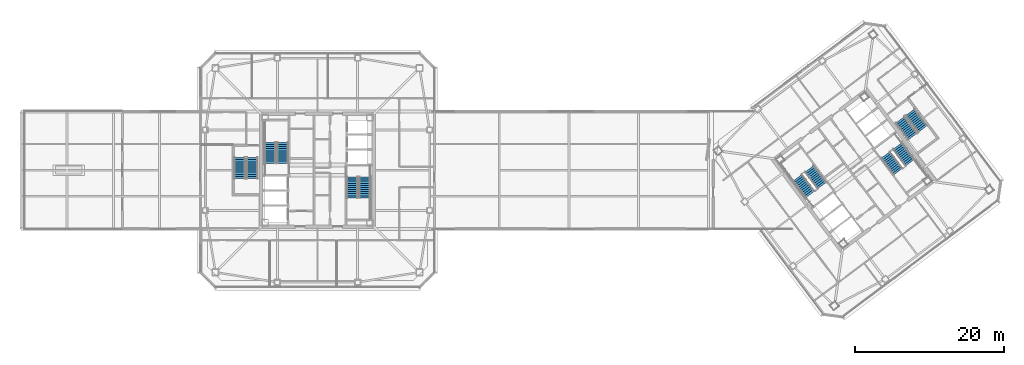
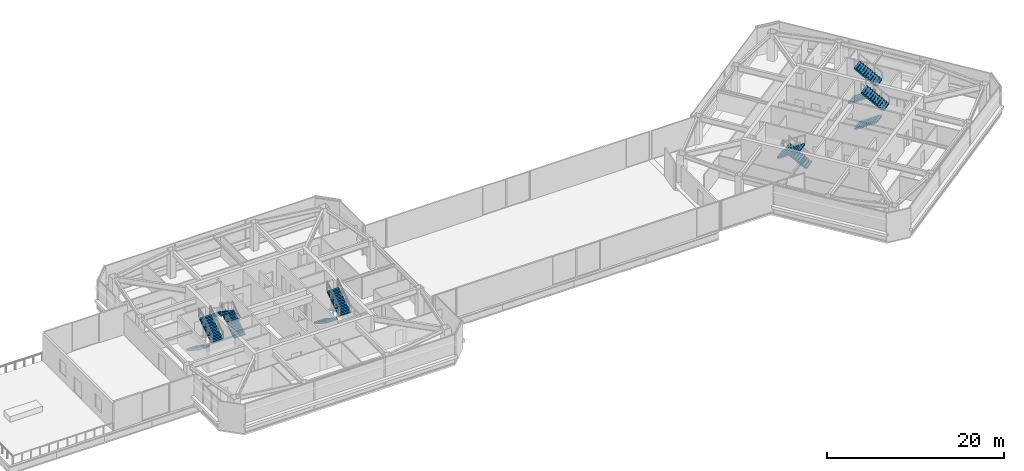
# One storey, part 43 of 51: 12 stair flights, 6 elements without a shape of their own.
"""IFC4 building model written with IfcOpenShell, lengths in metres."""

from ifc_helpers import new_model, si_unit, direction, frame, origin, place, context, subcontext, project, spatial, polyline, outline, extrude, material, type_object, element, aggregate, save


model = new_model("IFC4")

# Units and contexts
model_context = context("Model", 3, precision=1e-05, world=origin(), true_north=direction((0.0, 1.0)))
body_context = subcontext(model_context, "Body", "Model", "MODEL_VIEW")
ifc_project = project(units=[si_unit("LENGTHUNIT", "METRE"), si_unit("AREAUNIT", "SQUARE_METRE"), si_unit("VOLUMEUNIT", "CUBIC_METRE"), si_unit("PLANEANGLEUNIT", "RADIAN"), si_unit("MASSUNIT", "GRAM", prefix="KILO")], contexts=[model_context])

# Site, building, storey
site_placement = place(None, origin())
site = spatial("IfcSite", under=ifc_project, at=site_placement, CompositionType="ELEMENT")
building_placement = place(site_placement, origin())
building = spatial("IfcBuilding", under=site, at=building_placement, Name="Tashvorn Skyway Center", CompositionType="ELEMENT")
storey_placement = place(building_placement, frame((0.0, 0.0, 251.39990234375)))
storey = spatial("IfcBuildingStorey", under=building, at=storey_placement, Name="L68", CompositionType="ELEMENT", Elevation=251.39990234375)

# Stair, stair flights
ifc_material = material(Name="Concrete C40/50", Category="concrete")
stair_type = type_object("IfcStairType", Name="STAIR-CORE-1500", PredefinedType="HALF_TURN_STAIR", material=ifc_material)
stair_1_placement = place(storey_placement, origin())
stair_1 = element("IfcStair", 1, at=stair_1_placement, inside=storey, type_object=stair_type, Name="L68 Tower 1 Exit Stair 1", PredefinedType="HALF_TURN_STAIR")
stair_flight_type = type_object("IfcStairFlightType", Name="SFLIGHT-1500", PredefinedType="STRAIGHT", material=ifc_material)
stair_flight_1_placement = place(storey_placement, frame((37.35009765625, 32.919921875, 0.0), z_axis=(0.0, 0.0, 1.0), x_axis=(0.0, 1.0, 0.0)))
stair_flight_1 = element("IfcStairFlight", 2, at=stair_flight_1_placement, type_object=stair_flight_type, Name="ST-T1-1 flight 1", NumberOfRisers=11, NumberOfTreads=10, PredefinedType="STRAIGHT", RiserHeight=0.181818182, TreadLength=0.28, context=body_context, shape_type="SweptSolid", body=[
    extrude(outline(polyline([(0.0, 0.0), (0.0, 0.181884765625), (0.280029296875, 0.181884765625), (0.280029296875, 0.363525390625), (0.56005859375, 0.363525390625), (0.56005859375, 0.54541015625), (0.840087890625, 0.54541015625), (0.840087890625, 0.727294921875), (1.1201171875, 0.727294921875), (1.1201171875, 0.9091796875), (1.39990234375, 0.9091796875), (1.39990234375, 1.0908203125), (1.679931640625, 1.0908203125), (1.679931640625, 1.272705078125), (1.9599609375, 1.272705078125), (1.9599609375, 1.45458984375), (2.239990234375, 1.45458984375), (2.239990234375, 1.636474609375), (2.52001953125, 1.636474609375), (2.52001953125, 1.818115234375), (2.800048828125, 1.818115234375), (2.800048828125, 2.0), (2.800048828125, 1.639404296875), (0.275146484375, 0.0), (0.0, 0.0)])), frame((0.0, 0.75, 0.0), z_axis=(0.0, -1.0, 0.0), x_axis=(1.0, 0.0, 0.0)), (0.0, 0.0, 1.0), 1.5),
])
stair_flight_2_placement = place(storey_placement, frame((35.64990234375, 35.719970703125, 2.0), z_axis=(0.0, 0.0, 1.0), x_axis=(0.0, -1.0, 0.0)))
stair_flight_2 = element("IfcStairFlight", 3, at=stair_flight_2_placement, type_object=stair_flight_type, Name="ST-T1-1 flight 2", NumberOfRisers=11, NumberOfTreads=10, PredefinedType="STRAIGHT", RiserHeight=0.181818182, TreadLength=0.28, context=body_context, shape_type="SweptSolid", body=[
    extrude(outline(polyline([(0.0, 0.0), (0.0, 0.181884765625), (0.280029296875, 0.181884765625), (0.280029296875, 0.363525390625), (0.56005859375, 0.363525390625), (0.56005859375, 0.54541015625), (0.840087890625, 0.54541015625), (0.840087890625, 0.727294921875), (1.1201171875, 0.727294921875), (1.1201171875, 0.9091796875), (1.39990234375, 0.9091796875), (1.39990234375, 1.0908203125), (1.679931640625, 1.0908203125), (1.679931640625, 1.272705078125), (1.9599609375, 1.272705078125), (1.9599609375, 1.45458984375), (2.239990234375, 1.45458984375), (2.239990234375, 1.636474609375), (2.52001953125, 1.636474609375), (2.52001953125, 1.818115234375), (2.800048828125, 1.818115234375), (2.800048828125, 2.0), (2.800048828125, 1.639404296875), (0.275146484375, 0.0), (0.0, 0.0)])), frame((0.0, 0.75, 0.0), z_axis=(0.0, -1.0, 0.0), x_axis=(1.0, 0.0, 0.0)), (0.0, 0.0, 1.0), 1.5),
])
aggregate(stair_1, [stair_flight_1, stair_flight_2])

stair_2_placement = place(storey_placement, origin())
stair_2 = element("IfcStair", 4, at=stair_2_placement, inside=storey, type_object=stair_type, Name="L68 Tower 1 Exit Stair 2", PredefinedType="HALF_TURN_STAIR")
stair_flight_3_placement = place(storey_placement, frame((46.64990234375, 31.080078125, 0.0), z_axis=(0.0, 0.0, 1.0), x_axis=(0.0, -1.0, 0.0)))
stair_flight_3 = element("IfcStairFlight", 5, at=stair_flight_3_placement, type_object=stair_flight_type, Name="ST-T1-2 flight 1", NumberOfRisers=11, NumberOfTreads=10, PredefinedType="STRAIGHT", RiserHeight=0.181818182, TreadLength=0.28, context=body_context, shape_type="SweptSolid", body=[
    extrude(outline(polyline([(0.0, 0.0), (0.0, 0.181884765625), (0.280029296875, 0.181884765625), (0.280029296875, 0.363525390625), (0.56005859375, 0.363525390625), (0.56005859375, 0.54541015625), (0.840087890625, 0.54541015625), (0.840087890625, 0.727294921875), (1.1201171875, 0.727294921875), (1.1201171875, 0.9091796875), (1.39990234375, 0.9091796875), (1.39990234375, 1.0908203125), (1.679931640625, 1.0908203125), (1.679931640625, 1.272705078125), (1.9599609375, 1.272705078125), (1.9599609375, 1.45458984375), (2.239990234375, 1.45458984375), (2.239990234375, 1.636474609375), (2.52001953125, 1.636474609375), (2.52001953125, 1.818115234375), (2.800048828125, 1.818115234375), (2.800048828125, 2.0), (2.800048828125, 1.639404296875), (0.275146484375, 0.0), (0.0, 0.0)])), frame((0.0, 0.75, 0.0), z_axis=(0.0, -1.0, 0.0), x_axis=(1.0, 0.0, 0.0)), (0.0, 0.0, 1.0), 1.5),
])
stair_flight_4_placement = place(storey_placement, frame((48.35009765625, 28.280029296875, 2.0), z_axis=(0.0, 0.0, 1.0), x_axis=(0.0, 1.0, 0.0)))
stair_flight_4 = element("IfcStairFlight", 6, at=stair_flight_4_placement, type_object=stair_flight_type, Name="ST-T1-2 flight 2", NumberOfRisers=11, NumberOfTreads=10, PredefinedType="STRAIGHT", RiserHeight=0.181818182, TreadLength=0.28, context=body_context, shape_type="SweptSolid", body=[
    extrude(outline(polyline([(0.0, 0.0), (0.0, 0.181884765625), (0.280029296875, 0.181884765625), (0.280029296875, 0.363525390625), (0.56005859375, 0.363525390625), (0.56005859375, 0.54541015625), (0.840087890625, 0.54541015625), (0.840087890625, 0.727294921875), (1.1201171875, 0.727294921875), (1.1201171875, 0.9091796875), (1.39990234375, 0.9091796875), (1.39990234375, 1.0908203125), (1.679931640625, 1.0908203125), (1.679931640625, 1.272705078125), (1.9599609375, 1.272705078125), (1.9599609375, 1.45458984375), (2.239990234375, 1.45458984375), (2.239990234375, 1.636474609375), (2.52001953125, 1.636474609375), (2.52001953125, 1.818115234375), (2.800048828125, 1.818115234375), (2.800048828125, 2.0), (2.800048828125, 1.639404296875), (0.275146484375, 0.0), (0.0, 0.0)])), frame((0.0, 0.75, 0.0), z_axis=(0.0, -1.0, 0.0), x_axis=(1.0, 0.0, 0.0)), (0.0, 0.0, 1.0), 1.5),
])
aggregate(stair_2, [stair_flight_3, stair_flight_4])

stair_3_placement = place(storey_placement, origin())
stair_3 = element("IfcStair", 7, at=stair_3_placement, inside=storey, type_object=stair_type, Name="L68 Tower 2 Exit Stair 1", PredefinedType="HALF_TURN_STAIR")
stair_flight_5_placement = place(storey_placement, frame((109.72802734375, 29.946044921875, 0.0), z_axis=(0.0, 0.0, 1.0), x_axis=(-0.600000004945, 0.799999996291, 0.0)))
stair_flight_5 = element("IfcStairFlight", 8, at=stair_flight_5_placement, type_object=stair_flight_type, Name="ST-T2-1 flight 1", NumberOfRisers=11, NumberOfTreads=10, PredefinedType="STRAIGHT", RiserHeight=0.181818182, TreadLength=0.28, context=body_context, shape_type="SweptSolid", body=[
    extrude(outline(polyline([(0.0, 0.0), (0.0, 0.181884765625), (0.280029296875, 0.181884765625), (0.280029296875, 0.363525390625), (0.56005859375, 0.363525390625), (0.56005859375, 0.54541015625), (0.840087890625, 0.54541015625), (0.840087890625, 0.727294921875), (1.1201171875, 0.727294921875), (1.1201171875, 0.9091796875), (1.39990234375, 0.9091796875), (1.39990234375, 1.0908203125), (1.679931640625, 1.0908203125), (1.679931640625, 1.272705078125), (1.9599609375, 1.272705078125), (1.9599609375, 1.45458984375), (2.239990234375, 1.45458984375), (2.239990234375, 1.636474609375), (2.52001953125, 1.636474609375), (2.52001953125, 1.818115234375), (2.800048828125, 1.818115234375), (2.800048828125, 2.0), (2.800048828125, 1.639404296875), (0.275146484375, 0.0), (0.0, 0.0)])), frame((0.0, 0.75, 0.0), z_axis=(0.0, -1.0, 0.0), x_axis=(1.0, 0.0, 0.0)), (0.0, 0.0, 1.0), 1.5),
])
stair_flight_6_placement = place(storey_placement, frame((106.464111328125, 30.998046875, 2.0), z_axis=(0.0, 0.0, 1.0), x_axis=(0.600000004945, -0.799999996291, 0.0)))
stair_flight_6 = element("IfcStairFlight", 9, at=stair_flight_6_placement, type_object=stair_flight_type, Name="ST-T2-1 flight 2", NumberOfRisers=11, NumberOfTreads=10, PredefinedType="STRAIGHT", RiserHeight=0.181818182, TreadLength=0.28, context=body_context, shape_type="SweptSolid", body=[
    extrude(outline(polyline([(0.0, 0.0), (0.0, 0.181884765625), (0.280029296875, 0.181884765625), (0.280029296875, 0.363525390625), (0.56005859375, 0.363525390625), (0.56005859375, 0.54541015625), (0.840087890625, 0.54541015625), (0.840087890625, 0.727294921875), (1.1201171875, 0.727294921875), (1.1201171875, 0.9091796875), (1.39990234375, 0.9091796875), (1.39990234375, 1.0908203125), (1.679931640625, 1.0908203125), (1.679931640625, 1.272705078125), (1.9599609375, 1.272705078125), (1.9599609375, 1.45458984375), (2.239990234375, 1.45458984375), (2.239990234375, 1.636474609375), (2.52001953125, 1.636474609375), (2.52001953125, 1.818115234375), (2.800048828125, 1.818115234375), (2.800048828125, 2.0), (2.800048828125, 1.639404296875), (0.275146484375, 0.0), (0.0, 0.0)])), frame((0.0, 0.75, 0.0), z_axis=(0.0, -1.0, 0.0), x_axis=(1.0, 0.0, 0.0)), (0.0, 0.0, 1.0), 1.5),
])
aggregate(stair_3, [stair_flight_5, stair_flight_6])

stair_4_placement = place(storey_placement, origin())
stair_4 = element("IfcStair", 10, at=stair_4_placement, inside=storey, type_object=stair_type, Name="L68 Tower 2 Exit Stair 2", PredefinedType="HALF_TURN_STAIR")
stair_flight_7_placement = place(storey_placement, frame((118.27197265625, 34.053955078125, 0.0), z_axis=(0.0, 0.0, 1.0), x_axis=(0.600000004945, -0.799999996291, 0.0)))
stair_flight_7 = element("IfcStairFlight", 11, at=stair_flight_7_placement, type_object=stair_flight_type, Name="ST-T2-2 flight 1", NumberOfRisers=11, NumberOfTreads=10, PredefinedType="STRAIGHT", RiserHeight=0.181818182, TreadLength=0.28, context=body_context, shape_type="SweptSolid", body=[
    extrude(outline(polyline([(0.0, 0.0), (0.0, 0.181884765625), (0.280029296875, 0.181884765625), (0.280029296875, 0.363525390625), (0.56005859375, 0.363525390625), (0.56005859375, 0.54541015625), (0.840087890625, 0.54541015625), (0.840087890625, 0.727294921875), (1.1201171875, 0.727294921875), (1.1201171875, 0.9091796875), (1.39990234375, 0.9091796875), (1.39990234375, 1.0908203125), (1.679931640625, 1.0908203125), (1.679931640625, 1.272705078125), (1.9599609375, 1.272705078125), (1.9599609375, 1.45458984375), (2.239990234375, 1.45458984375), (2.239990234375, 1.636474609375), (2.52001953125, 1.636474609375), (2.52001953125, 1.818115234375), (2.800048828125, 1.818115234375), (2.800048828125, 2.0), (2.800048828125, 1.639404296875), (0.275146484375, 0.0), (0.0, 0.0)])), frame((0.0, 0.75, 0.0), z_axis=(0.0, -1.0, 0.0), x_axis=(1.0, 0.0, 0.0)), (0.0, 0.0, 1.0), 1.5),
])
stair_flight_8_placement = place(storey_placement, frame((121.535888671875, 33.001953125, 2.0), z_axis=(0.0, 0.0, 1.0), x_axis=(-0.600000004945, 0.799999996291, 0.0)))
stair_flight_8 = element("IfcStairFlight", 12, at=stair_flight_8_placement, type_object=stair_flight_type, Name="ST-T2-2 flight 2", NumberOfRisers=11, NumberOfTreads=10, PredefinedType="STRAIGHT", RiserHeight=0.181818182, TreadLength=0.28, context=body_context, shape_type="SweptSolid", body=[
    extrude(outline(polyline([(0.0, 0.0), (0.0, 0.181884765625), (0.280029296875, 0.181884765625), (0.280029296875, 0.363525390625), (0.56005859375, 0.363525390625), (0.56005859375, 0.54541015625), (0.840087890625, 0.54541015625), (0.840087890625, 0.727294921875), (1.1201171875, 0.727294921875), (1.1201171875, 0.9091796875), (1.39990234375, 0.9091796875), (1.39990234375, 1.0908203125), (1.679931640625, 1.0908203125), (1.679931640625, 1.272705078125), (1.9599609375, 1.272705078125), (1.9599609375, 1.45458984375), (2.239990234375, 1.45458984375), (2.239990234375, 1.636474609375), (2.52001953125, 1.636474609375), (2.52001953125, 1.818115234375), (2.800048828125, 1.818115234375), (2.800048828125, 2.0), (2.800048828125, 1.639404296875), (0.275146484375, 0.0), (0.0, 0.0)])), frame((0.0, 0.75, 0.0), z_axis=(0.0, -1.0, 0.0), x_axis=(1.0, 0.0, 0.0)), (0.0, 0.0, 1.0), 1.5),
])
aggregate(stair_4, [stair_flight_7, stair_flight_8])

stair_5_placement = place(storey_placement, origin())
stair_5 = element("IfcStair", 13, at=stair_5_placement, inside=storey, type_object=stair_type, Name="L68 Tower 1 Exit Stair 3", PredefinedType="HALF_TURN_STAIR")
stair_flight_9_placement = place(storey_placement, frame((31.550048828125, 33.679931640625, 0.0), z_axis=(0.0, 0.0, 1.0), x_axis=(0.0, -1.0, 0.0)))
stair_flight_9 = element("IfcStairFlight", 14, at=stair_flight_9_placement, type_object=stair_flight_type, Name="ST-T1-3 flight 1", NumberOfRisers=11, NumberOfTreads=10, PredefinedType="STRAIGHT", RiserHeight=0.181818182, TreadLength=0.28, context=body_context, shape_type="SweptSolid", body=[
    extrude(outline(polyline([(0.0, 0.0), (0.0, 0.181884765625), (0.280029296875, 0.181884765625), (0.280029296875, 0.363525390625), (0.56005859375, 0.363525390625), (0.56005859375, 0.54541015625), (0.840087890625, 0.54541015625), (0.840087890625, 0.727294921875), (1.1201171875, 0.727294921875), (1.1201171875, 0.9091796875), (1.39990234375, 0.9091796875), (1.39990234375, 1.0908203125), (1.679931640625, 1.0908203125), (1.679931640625, 1.272705078125), (1.9599609375, 1.272705078125), (1.9599609375, 1.45458984375), (2.239990234375, 1.45458984375), (2.239990234375, 1.636474609375), (2.52001953125, 1.636474609375), (2.52001953125, 1.818115234375), (2.800048828125, 1.818115234375), (2.800048828125, 2.0), (2.800048828125, 1.639404296875), (0.275146484375, 0.0), (0.0, 0.0)])), frame((0.0, 0.75, 0.0), z_axis=(0.0, -1.0, 0.0), x_axis=(1.0, 0.0, 0.0)), (0.0, 0.0, 1.0), 1.5),
])
stair_flight_10_placement = place(storey_placement, frame((33.25, 30.8798828125, 2.0), z_axis=(0.0, 0.0, 1.0), x_axis=(0.0, 1.0, 0.0)))
stair_flight_10 = element("IfcStairFlight", 15, at=stair_flight_10_placement, type_object=stair_flight_type, Name="ST-T1-3 flight 2", NumberOfRisers=11, NumberOfTreads=10, PredefinedType="STRAIGHT", RiserHeight=0.181818182, TreadLength=0.28, context=body_context, shape_type="SweptSolid", body=[
    extrude(outline(polyline([(0.0, 0.0), (0.0, 0.181884765625), (0.280029296875, 0.181884765625), (0.280029296875, 0.363525390625), (0.56005859375, 0.363525390625), (0.56005859375, 0.54541015625), (0.840087890625, 0.54541015625), (0.840087890625, 0.727294921875), (1.1201171875, 0.727294921875), (1.1201171875, 0.9091796875), (1.39990234375, 0.9091796875), (1.39990234375, 1.0908203125), (1.679931640625, 1.0908203125), (1.679931640625, 1.272705078125), (1.9599609375, 1.272705078125), (1.9599609375, 1.45458984375), (2.239990234375, 1.45458984375), (2.239990234375, 1.636474609375), (2.52001953125, 1.636474609375), (2.52001953125, 1.818115234375), (2.800048828125, 1.818115234375), (2.800048828125, 2.0), (2.800048828125, 1.639404296875), (0.275146484375, 0.0), (0.0, 0.0)])), frame((0.0, 0.75, 0.0), z_axis=(0.0, -1.0, 0.0), x_axis=(1.0, 0.0, 0.0)), (0.0, 0.0, 1.0), 1.5),
])
aggregate(stair_5, [stair_flight_9, stair_flight_10])

stair_6_placement = place(storey_placement, origin())
stair_6 = element("IfcStair", 16, at=stair_6_placement, inside=storey, type_object=stair_type, Name="L68 Tower 2 Exit Stair 3", PredefinedType="HALF_TURN_STAIR")
stair_flight_11_placement = place(storey_placement, frame((120.216064453125, 38.761962890625, 0.0), z_axis=(0.0, 0.0, 1.0), x_axis=(0.600000004945, -0.799999996291, 0.0)))
stair_flight_11 = element("IfcStairFlight", 17, at=stair_flight_11_placement, type_object=stair_flight_type, Name="ST-T2-3 flight 1", NumberOfRisers=11, NumberOfTreads=10, PredefinedType="STRAIGHT", RiserHeight=0.181818182, TreadLength=0.28, context=body_context, shape_type="SweptSolid", body=[
    extrude(outline(polyline([(0.0, 0.0), (0.0, 0.181884765625), (0.280029296875, 0.181884765625), (0.280029296875, 0.363525390625), (0.56005859375, 0.363525390625), (0.56005859375, 0.54541015625), (0.840087890625, 0.54541015625), (0.840087890625, 0.727294921875), (1.1201171875, 0.727294921875), (1.1201171875, 0.9091796875), (1.39990234375, 0.9091796875), (1.39990234375, 1.0908203125), (1.679931640625, 1.0908203125), (1.679931640625, 1.272705078125), (1.9599609375, 1.272705078125), (1.9599609375, 1.45458984375), (2.239990234375, 1.45458984375), (2.239990234375, 1.636474609375), (2.52001953125, 1.636474609375), (2.52001953125, 1.818115234375), (2.800048828125, 1.818115234375), (2.800048828125, 2.0), (2.800048828125, 1.639404296875), (0.275146484375, 0.0), (0.0, 0.0)])), frame((0.0, 0.75, 0.0), z_axis=(0.0, -1.0, 0.0), x_axis=(1.0, 0.0, 0.0)), (0.0, 0.0, 1.0), 1.5),
])
stair_flight_12_placement = place(storey_placement, frame((123.256103515625, 37.5419921875, 2.0), z_axis=(0.0, 0.0, 1.0), x_axis=(-0.600000004945, 0.799999996291, 0.0)))
stair_flight_12 = element("IfcStairFlight", 18, at=stair_flight_12_placement, type_object=stair_flight_type, Name="ST-T2-3 flight 2", NumberOfRisers=11, NumberOfTreads=10, PredefinedType="STRAIGHT", RiserHeight=0.181818182, TreadLength=0.28, context=body_context, shape_type="SweptSolid", body=[
    extrude(outline(polyline([(0.0, 0.0), (0.0, 0.181884765625), (0.280029296875, 0.181884765625), (0.280029296875, 0.363525390625), (0.56005859375, 0.363525390625), (0.56005859375, 0.54541015625), (0.840087890625, 0.54541015625), (0.840087890625, 0.727294921875), (1.1201171875, 0.727294921875), (1.1201171875, 0.9091796875), (1.39990234375, 0.9091796875), (1.39990234375, 1.0908203125), (1.679931640625, 1.0908203125), (1.679931640625, 1.272705078125), (1.9599609375, 1.272705078125), (1.9599609375, 1.45458984375), (2.239990234375, 1.45458984375), (2.239990234375, 1.636474609375), (2.52001953125, 1.636474609375), (2.52001953125, 1.818115234375), (2.800048828125, 1.818115234375), (2.800048828125, 2.0), (2.800048828125, 1.639404296875), (0.275146484375, 0.0), (0.0, 0.0)])), frame((0.0, 0.75, 0.0), z_axis=(0.0, -1.0, 0.0), x_axis=(1.0, 0.0, 0.0)), (0.0, 0.0, 1.0), 1.5),
])
aggregate(stair_6, [stair_flight_11, stair_flight_12])

save(model, "model.ifc")
